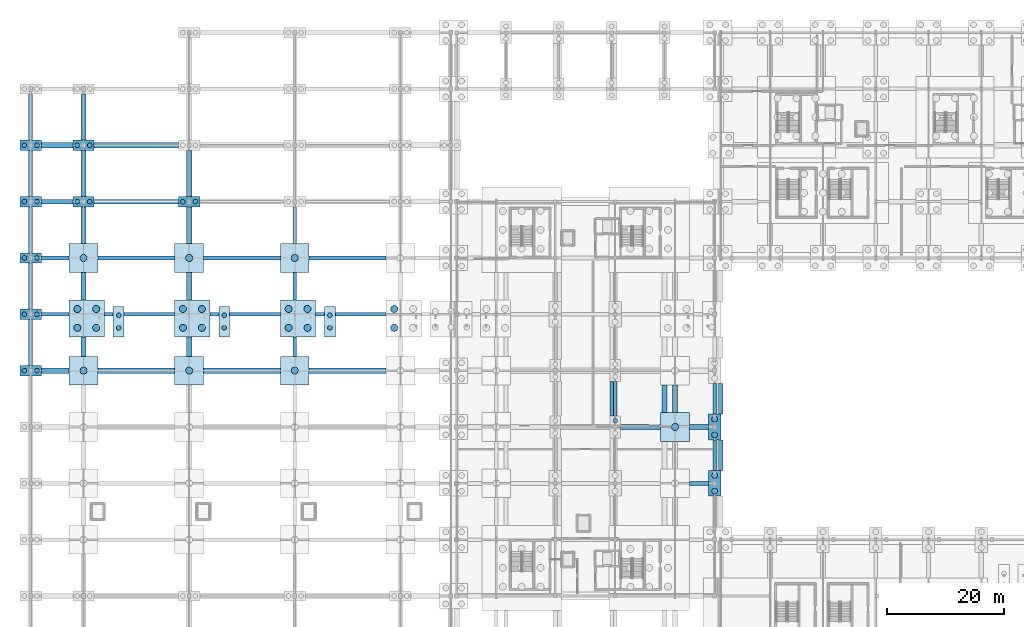
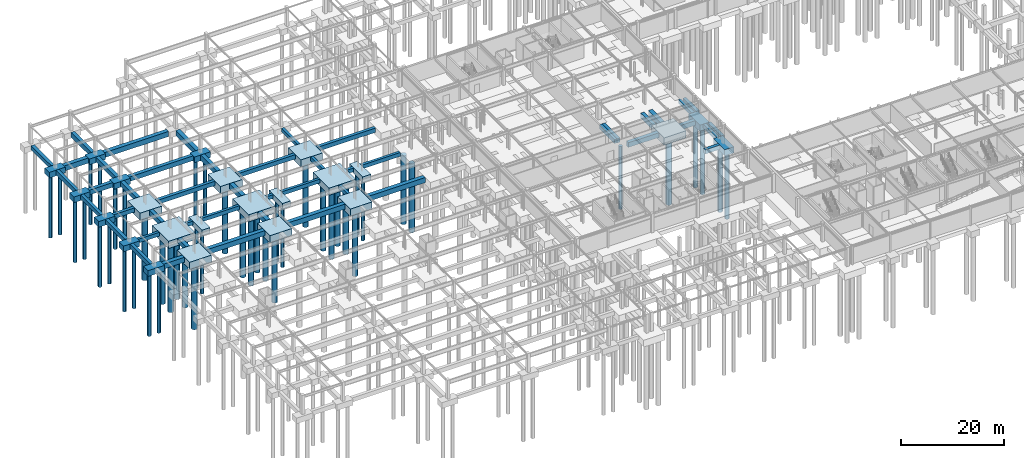
# One storey, part 4 of 59: 70 footings, 48 piles.
"""IFC4 building model written with IfcOpenShell, lengths in metres."""

import ifcopenshell
import ifcopenshell.guid

model = None  # the IFC model being written
_history = None  # IfcOwnerHistory: only IFC2X3 demands one
_inside = {}  # id of a spatial element -> (the spatial element, [elements in it])
_under = {}  # id of a project, library or spatial element -> (it, [spatial elements below it])
_declared = {}  # id of a project -> (the project, [libraries it declares])
_typed = {}  # id of a type object -> (the type object, [elements of that type])
_made_of = {}  # id of a material, layer set ... -> (it, [elements and type objects made of it])


def new_model(schema):
    """Start an empty IFC model of exactly this schema.

    Asked for "IFC4X3", IfcOpenShell would pick the latest addendum, in which some entities
    have other attributes; the version numbers below select the first issue.
    IFC2X3 requires an IfcOwnerHistory on every rooted entity: one is made here for all.
    """
    global model, _history
    if schema == "IFC4X3":
        model = ifcopenshell.file(schema_version=(4, 3, 0, 0))
    else:
        model = ifcopenshell.file(schema=schema)
    _inside.clear()
    _under.clear()
    _declared.clear()
    _typed.clear()
    _made_of.clear()
    _history = None
    if model.schema == "IFC2X3":
        org = make("IfcOrganization", Name="unknown")
        user = make(
            "IfcPersonAndOrganization",
            ThePerson=make("IfcPerson", FamilyName="unknown"),
            TheOrganization=org,
        )
        app = make(
            "IfcApplication",
            ApplicationDeveloper=org,
            Version="unknown",
            ApplicationFullName="unknown",
            ApplicationIdentifier="unknown",
        )
        _history = make(
            "IfcOwnerHistory",
            OwningUser=user,
            OwningApplication=app,
            ChangeAction="ADDED",
            CreationDate=0,
        )
    return model


def make(cls, **values):
    """One entity of the class cls with the attributes given. An attribute that is None is left unset."""
    return model.create_entity(
        cls, **{name: value for name, value in values.items() if value is not None}
    )


def rooted(cls, **values):
    """An entity with a GlobalId (a new one), such as an element, a storey or a relation."""
    return make(cls, GlobalId=ifcopenshell.guid.new(), OwnerHistory=_history, **values)


def si_unit(unit_type, name, prefix=None):
    """IfcSIUnit, for example si_unit("LENGTHUNIT", "METRE", prefix="MILLI")."""
    return make("IfcSIUnit", UnitType=unit_type, Prefix=prefix, Name=name)


def assignment(units):
    """IfcUnitAssignment: the units of a project."""
    return None if units is None else make("IfcUnitAssignment", Units=units)


def point(xyz):
    """IfcCartesianPoint."""
    return None if xyz is None else make("IfcCartesianPoint", Coordinates=xyz)


def direction(xyz):
    """IfcDirection."""
    return None if xyz is None else make("IfcDirection", DirectionRatios=xyz)


def frame(location, z_axis=None, x_axis=None):
    """IfcAxis2Placement3D, a coordinate frame: its origin and axes. An axis left out is left unset."""
    return make(
        "IfcAxis2Placement3D",
        Location=point(location),
        Axis=direction(z_axis),
        RefDirection=direction(x_axis),
    )


def frame_2d(location, x_axis=None):
    """IfcAxis2Placement2D, a coordinate frame in the plane: its origin and x axis."""
    return make(
        "IfcAxis2Placement2D", Location=point(location), RefDirection=direction(x_axis)
    )


def origin():
    """The frame at (0, 0, 0) with its axes left unset."""
    return frame((0.0, 0.0, 0.0))


def origin_2d():
    """The frame at (0, 0) in the plane with its x axis left unset."""
    return frame_2d((0.0, 0.0))


def place(relative_to, where):
    """IfcLocalPlacement: puts the frame where relative to a parent placement (None: the world)."""
    return make(
        "IfcLocalPlacement", PlacementRelTo=relative_to, RelativePlacement=where
    )


def context(
    kind, dimensions, precision=None, world=None, true_north=None, identifier=None
):
    """IfcGeometricRepresentationContext, for example the 3D "Model" context."""
    return make(
        "IfcGeometricRepresentationContext",
        ContextIdentifier=identifier,
        ContextType=kind,
        CoordinateSpaceDimension=dimensions,
        Precision=precision,
        WorldCoordinateSystem=world,
        TrueNorth=true_north,
    )


def subcontext(parent, identifier, kind, view, scale=None):
    """IfcGeometricRepresentationSubContext, for example "Body" below "Model"."""
    return make(
        "IfcGeometricRepresentationSubContext",
        ContextIdentifier=identifier,
        ContextType=kind,
        ParentContext=parent,
        TargetScale=scale,
        TargetView=view,
    )


def project(units=None, contexts=None):
    """IfcProject with its units and contexts."""
    return rooted(
        "IfcProject",
        Name="project",
        RepresentationContexts=contexts,
        UnitsInContext=assignment(units),
    )


def spatial(cls, under=None, at=None, **own):
    """A site, building, storey or space (cls), placed at a placement, below another one or the project."""
    s = rooted(cls, ObjectPlacement=at, **own)
    if under is not None:
        _under.setdefault(under.id(), (under, []))[1].append(s)
    return s


def profile(cls, at=None, kind="AREA", **sizes):
    """A parametric profile (cls). Its sizes go by their IFC names, for example OverallWidth=200.0."""
    return make(cls, ProfileType=kind, Position=at, **sizes)


def rectangle(**sizes):
    """IfcRectangleProfileDef."""
    return profile("IfcRectangleProfileDef", **sizes)


def circle(**sizes):
    """IfcCircleProfileDef."""
    return profile("IfcCircleProfileDef", **sizes)


def extrude(swept, where, along, depth):
    """IfcExtrudedAreaSolid: the profile swept, set in the frame where, extruded along a direction by depth."""
    return make(
        "IfcExtrudedAreaSolid",
        SweptArea=swept,
        Position=where,
        ExtrudedDirection=direction(along),
        Depth=depth,
    )


def shape(context_of_items, identifier, shape_type, items):
    """IfcShapeRepresentation: the items that make up one representation, for example the "Body"."""
    return make(
        "IfcShapeRepresentation",
        ContextOfItems=context_of_items,
        RepresentationIdentifier=identifier,
        RepresentationType=shape_type,
        Items=items,
    )


def material(Name=None, Category=None):
    """IfcMaterial."""
    return make("IfcMaterial", Name=Name, Category=Category)


def material_profile(
    of_material, cross_section, Name=None, Category=None, Priority=None
):
    """IfcMaterialProfile: a cross section and its material."""
    return make(
        "IfcMaterialProfile",
        Name=Name,
        Material=of_material,
        Profile=cross_section,
        Priority=Priority,
        Category=Category,
    )


def profile_set(profiles, Name=None, composite=None):
    """IfcMaterialProfileSet."""
    return make(
        "IfcMaterialProfileSet",
        Name=Name,
        MaterialProfiles=profiles,
        CompositeProfile=composite,
    )


def made_of(thing, what):
    """Note that an element or type object is made of a material, layer set ...; save() writes the relation."""
    if what is not None:
        _made_of.setdefault(what.id(), (what, []))[1].append(thing)
    return thing


def type_object(cls, material=None, **own):
    """A type object (cls), such as IfcWallType, which elements share."""
    return made_of(rooted(cls, **own), material)


def element(
    cls,
    number,
    at=None,
    inside=None,
    cuts=None,
    type_object=None,
    material=None,
    context=None,
    identifier="Body",
    shape_type=None,
    held_by="IfcProductDefinitionShape",
    body=None,
    shapes=None,
    **own,
):
    """One element of the class cls, such as IfcWall. Its Tag is "e" and its number.

    at: its placement. inside: the storey or other place that contains it. cuts: it is an
    opening in that element (IfcRelVoidsElement). A single representation is given by context,
    identifier, shape_type and body (its items); several are given by shapes. held_by: the class
    of the entity that holds the representations. save() writes the other relations.
    """
    e = rooted(cls, Tag="e%d" % number, ObjectPlacement=at, **own)
    if body is not None:
        shapes = [shape(context, identifier, shape_type, body)]
    if shapes is not None:
        e.Representation = make(held_by, Representations=shapes)
    if inside is not None:
        _inside.setdefault(inside.id(), (inside, []))[1].append(e)
    if cuts is not None:
        rooted(
            "IfcRelVoidsElement", RelatingBuildingElement=cuts, RelatedOpeningElement=e
        )
    if type_object is not None:
        _typed.setdefault(type_object.id(), (type_object, []))[1].append(e)
    return made_of(e, material)


def aggregate(whole, parts):
    """IfcRelAggregates: a whole, such as a stair, and the parts it consists of."""
    return rooted("IfcRelAggregates", RelatingObject=whole, RelatedObjects=parts)


def save(model, path):
    """Write the relations noted so far, then the file.

    IfcRelAggregates (storeys below a building ...), IfcRelContainedInSpatialStructure (elements
    in a storey), IfcRelDefinesByType, IfcRelAssociatesMaterial and IfcRelDeclares: one each for
    every whole, place, type object, material and project.
    """
    for whole, parts in _under.values():
        aggregate(whole, parts)
    for where, things in _inside.values():
        rooted(
            "IfcRelContainedInSpatialStructure",
            RelatedElements=things,
            RelatingStructure=where,
        )
    for kind, things in _typed.values():
        rooted("IfcRelDefinesByType", RelatedObjects=things, RelatingType=kind)
    for what, things in _made_of.values():
        rooted("IfcRelAssociatesMaterial", RelatedObjects=things, RelatingMaterial=what)
    for by, libraries in _declared.values():
        rooted("IfcRelDeclares", RelatingContext=by, RelatedDefinitions=libraries)
    model.write(path)


model = new_model("IFC4")

# Units and contexts
model_context = context("Model", 3, precision=1e-05, world=origin(), true_north=direction((0.0, 1.0)))
body_context = subcontext(model_context, "Body", "Model", "MODEL_VIEW")
ifc_project = project(units=[si_unit("LENGTHUNIT", "METRE"), si_unit("AREAUNIT", "SQUARE_METRE"), si_unit("VOLUMEUNIT", "CUBIC_METRE"), si_unit("PLANEANGLEUNIT", "RADIAN"), si_unit("MASSUNIT", "GRAM", prefix="KILO")], contexts=[model_context])

# Site, building, storey
site_placement = place(None, origin())
site = spatial("IfcSite", under=ifc_project, at=site_placement, CompositionType="ELEMENT")
building_placement = place(site_placement, origin())
building = spatial("IfcBuilding", under=site, at=building_placement, Name="Myrtia Square Station", CompositionType="ELEMENT")
storey_placement = place(building_placement, frame((0.0, 0.0, -4.5)))
storey = spatial("IfcBuildingStorey", under=building, at=storey_placement, Name="B01", CompositionType="ELEMENT", Elevation=-4.5)

# Footings
ifc_material = material(Name="Concrete C35/45", Category="concrete")
ifc_material_profile_1 = material_profile(ifc_material, rectangle(XDim=0.60009765625, YDim=0.89990234375, at=origin_2d()), Name="FB 600x900")
ifc_profile_set_1 = profile_set([ifc_material_profile_1], Name="Concrete C35/45")
footing_type_1 = type_object("IfcFootingType", Name="FBM-600x900", PredefinedType="FOOTING_BEAM", material=ifc_profile_set_1)
footing_1_placement = place(storey_placement, frame((1.820068359375, 76.800048828125, -0.449951171875), z_axis=(1.0, 0.0, 0.0), x_axis=(0.0, 1.0, 0.0)))
element("IfcFooting", 1, at=footing_1_placement, inside=storey, type_object=footing_type_1, Name="Seismic foundation tie beam X-0085", PredefinedType="FOOTING_BEAM", context=body_context, shape_type="SweptSolid", body=[
    extrude(rectangle(XDim=0.60009765625, YDim=0.89990234375, at=origin_2d()), origin(), (0.0, 0.0, 1.0), 4.72998046875),
])
footing_2_placement = place(storey_placement, frame((12.570068359375, 76.800048828125, -0.449951171875), z_axis=(1.0, 0.0, 0.0), x_axis=(0.0, 1.0, 0.0)))
element("IfcFooting", 2, at=footing_2_placement, inside=storey, type_object=footing_type_1, Name="Seismic foundation tie beam X-0086", PredefinedType="FOOTING_BEAM", context=body_context, shape_type="SweptSolid", body=[
    extrude(rectangle(XDim=0.60009765625, YDim=0.89990234375, at=origin_2d()), origin(), (0.0, 0.0, 1.0), 1.5),
])
footing_3_placement = place(storey_placement, frame((15.909912109375, 76.800048828125, -0.449951171875), z_axis=(1.0, 0.0, 0.0), x_axis=(0.0, 1.0, 0.0)))
element("IfcFooting", 3, at=footing_3_placement, inside=storey, type_object=footing_type_1, Name="Seismic foundation tie beam X-0087", PredefinedType="FOOTING_BEAM", context=body_context, shape_type="SweptSolid", body=[
    extrude(rectangle(XDim=0.60009765625, YDim=0.89990234375, at=origin_2d()), origin(), (0.0, 0.0, 1.0), 8.64013671875),
])
footing_4_placement = place(storey_placement, frame((30.570068359375, 76.800048828125, -0.449951171875), z_axis=(1.0, 0.0, 0.0), x_axis=(0.0, 1.0, 0.0)))
element("IfcFooting", 4, at=footing_4_placement, inside=storey, type_object=footing_type_1, Name="Seismic foundation tie beam X-0088", PredefinedType="FOOTING_BEAM", context=body_context, shape_type="SweptSolid", body=[
    extrude(rectangle(XDim=0.60009765625, YDim=0.89990234375, at=origin_2d()), origin(), (0.0, 0.0, 1.0), 1.5),
])
footing_5_placement = place(storey_placement, frame((33.909912109375, 76.800048828125, -0.449951171875), z_axis=(1.0, 0.0, 0.0), x_axis=(0.0, 1.0, 0.0)))
element("IfcFooting", 5, at=footing_5_placement, inside=storey, type_object=footing_type_1, Name="Seismic foundation tie beam X-0089", PredefinedType="FOOTING_BEAM", context=body_context, shape_type="SweptSolid", body=[
    extrude(rectangle(XDim=0.60009765625, YDim=0.89990234375, at=origin_2d()), origin(), (0.0, 0.0, 1.0), 8.64013671875),
])
footing_6_placement = place(storey_placement, frame((48.570068359375, 76.800048828125, -0.449951171875), z_axis=(1.0, 0.0, 0.0), x_axis=(0.0, 1.0, 0.0)))
element("IfcFooting", 6, at=footing_6_placement, inside=storey, type_object=footing_type_1, Name="Seismic foundation tie beam X-0090", PredefinedType="FOOTING_BEAM", context=body_context, shape_type="SweptSolid", body=[
    extrude(rectangle(XDim=0.60009765625, YDim=0.89990234375, at=origin_2d()), origin(), (0.0, 0.0, 1.0), 1.5),
])
footing_7_placement = place(storey_placement, frame((51.909912109375, 76.800048828125, -0.449951171875), z_axis=(1.0, 0.0, 0.0), x_axis=(0.0, 1.0, 0.0)))
element("IfcFooting", 7, at=footing_7_placement, inside=storey, type_object=footing_type_1, Name="Seismic foundation tie beam X-0091", PredefinedType="FOOTING_BEAM", context=body_context, shape_type="SweptSolid", body=[
    extrude(rectangle(XDim=0.60009765625, YDim=0.89990234375, at=origin_2d()), origin(), (0.0, 0.0, 1.0), 8.64013671875),
])
footing_8_placement = place(storey_placement, frame((45.0, 69.64990234375, -0.449951171875), z_axis=(0.0, 1.0, 0.0), x_axis=(-1.0, 0.0, 0.0)))
element("IfcFooting", 8, at=footing_8_placement, inside=storey, type_object=footing_type_1, Name="Seismic foundation tie beam Y-0196", PredefinedType="FOOTING_BEAM", context=body_context, shape_type="SweptSolid", body=[
    extrude(rectangle(XDim=0.60009765625, YDim=0.89990234375, at=origin_2d()), origin(), (0.0, 0.0, 1.0), 3.31005859375),
])
footing_9_placement = place(storey_placement, frame((45.0, 79.25, -0.449951171875), z_axis=(0.0, 1.0, 0.0), x_axis=(-1.0, 0.0, 0.0)))
element("IfcFooting", 9, at=footing_9_placement, inside=storey, type_object=footing_type_1, Name="Seismic foundation tie beam Y-0197", PredefinedType="FOOTING_BEAM", context=body_context, shape_type="SweptSolid", body=[
    extrude(rectangle(XDim=0.60009765625, YDim=0.89990234375, at=origin_2d()), origin(), (0.0, 0.0, 1.0), 4.699951171875),
])
footing_10_placement = place(storey_placement, frame((45.0, 88.85009765625, -0.449951171875), z_axis=(0.0, 1.0, 0.0), x_axis=(-1.0, 0.0, 0.0)))
element("IfcFooting", 10, at=footing_10_placement, inside=storey, type_object=footing_type_1, Name="Seismic foundation tie beam Y-0198", PredefinedType="FOOTING_BEAM", context=body_context, shape_type="SweptSolid", body=[
    extrude(rectangle(XDim=0.60009765625, YDim=0.89990234375, at=origin_2d()), origin(), (0.0, 0.0, 1.0), 6.27001953125),
])
footing_11_placement = place(storey_placement, frame((99.0, 59.4599609375, -0.449951171875), z_axis=(0.0, 1.0, 0.0), x_axis=(-1.0, 0.0, 0.0)))
element("IfcFooting", 11, at=footing_11_placement, inside=storey, type_object=footing_type_1, Name="Seismic foundation tie beam Y-0267", PredefinedType="FOOTING_BEAM", context=body_context, shape_type="SweptSolid", body=[
    extrude(rectangle(XDim=0.60009765625, YDim=0.89990234375, at=origin_2d()), origin(), (0.0, 0.0, 1.0), 5.880126953125),
])
for number, where, z_axis, x_axis, name in (
    (12, (116.550048828125, 50.179931640625, -0.449951171875), (0.0, 1.0, 0.0), (-1.0, 0.0, 0.0), "Seismic foundation tie beam Y-0298"),
    (13, (116.550048828125, 59.780029296875, -0.449951171875), (0.0, 1.0, 0.0), (-1.0, 0.0, 0.0), "Seismic foundation tie beam Y-0299"),
):
    element("IfcFooting", number, at=place(storey_placement, frame(where, z_axis=z_axis, x_axis=x_axis)), inside=storey, type_object=footing_type_1, Name=name, PredefinedType="FOOTING_BEAM", context=body_context, shape_type="SweptSolid", body=[
        extrude(rectangle(XDim=0.60009765625, YDim=0.89990234375, at=origin_2d()), origin(), (0.0, 0.0, 1.0), 5.239990234375),
    ])
ifc_material_profile_2 = material_profile(ifc_material, rectangle(XDim=0.699951171875, YDim=1.0, at=origin_2d()), Name="FB 700x1000")
ifc_profile_set_2 = profile_set([ifc_material_profile_2], Name="Concrete C35/45")
footing_type_2 = type_object("IfcFootingType", Name="FBM-700x1000", PredefinedType="FOOTING_BEAM", material=ifc_profile_set_2)
footing_12_placement = place(storey_placement, frame((112.25, 48.0, -0.5), z_axis=(1.0, 0.0, 0.0), x_axis=(0.0, 1.0, 0.0)))
element("IfcFooting", 14, at=footing_12_placement, inside=storey, type_object=footing_type_2, Name="Seismic foundation tie beam X-0061", PredefinedType="FOOTING_BEAM", context=body_context, shape_type="SweptSolid", body=[
    extrude(rectangle(XDim=0.699951171875, YDim=1.0, at=origin_2d()), origin(), (0.0, 0.0, 1.0), 3.25),
])
footing_13_placement = place(storey_placement, frame((1.820068359375, 86.39990234375, -0.5), z_axis=(1.0, 0.0, 0.0), x_axis=(0.0, 1.0, 0.0)))
element("IfcFooting", 15, at=footing_13_placement, inside=storey, type_object=footing_type_2, Name="Seismic foundation tie beam X-0099", PredefinedType="FOOTING_BEAM", context=body_context, shape_type="SweptSolid", body=[
    extrude(rectangle(XDim=0.699951171875, YDim=1.0, at=origin_2d()), origin(), (0.0, 0.0, 1.0), 4.72998046875),
])
for number, where, z_axis, x_axis, name in (
    (16, (11.449951171875, 86.39990234375, -0.5), (1.0, 0.0, 0.0), (0.0, 1.0, 0.0), "Seismic foundation tie beam X-0100"),
    (17, (29.449951171875, 86.39990234375, -0.5), (1.0, 0.0, 0.0), (0.0, 1.0, 0.0), "Seismic foundation tie beam X-0101"),
    (18, (47.449951171875, 86.39990234375, -0.5), (1.0, 0.0, 0.0), (0.0, 1.0, 0.0), "Seismic foundation tie beam X-0102"),
):
    element("IfcFooting", number, at=place(storey_placement, frame(where, z_axis=z_axis, x_axis=x_axis)), inside=storey, type_object=footing_type_2, Name=name, PredefinedType="FOOTING_BEAM", context=body_context, shape_type="SweptSolid", body=[
        extrude(rectangle(XDim=0.699951171875, YDim=1.0, at=origin_2d()), origin(), (0.0, 0.0, 1.0), 13.10009765625),
    ])
footing_14_placement = place(storey_placement, frame((0.0, 68.080078125, -0.5), z_axis=(0.0, 1.0, 0.0), x_axis=(-1.0, 0.0, 0.0)))
element("IfcFooting", 19, at=footing_14_placement, inside=storey, type_object=footing_type_2, Name="Seismic foundation tie beam Y-0160", PredefinedType="FOOTING_BEAM", context=body_context, shape_type="SweptSolid", body=[
    extrude(rectangle(XDim=0.699951171875, YDim=1.0, at=origin_2d()), origin(), (0.0, 0.0, 1.0), 7.83984375),
])
for number, where, z_axis, x_axis, name in (
    (20, (0.0, 77.679931640625, -0.5), (0.0, 1.0, 0.0), (-1.0, 0.0, 0.0), "Seismic foundation tie beam Y-0161"),
    (21, (0.0, 87.280029296875, -0.5), (0.0, 1.0, 0.0), (-1.0, 0.0, 0.0), "Seismic foundation tie beam Y-0162"),
    (22, (0.0, 96.8798828125, -0.5), (0.0, 1.0, 0.0), (-1.0, 0.0, 0.0), "Seismic foundation tie beam Y-0163"),
    (23, (0.0, 106.47998046875, -0.5), (0.0, 1.0, 0.0), (-1.0, 0.0, 0.0), "Seismic foundation tie beam Y-0164"),
):
    element("IfcFooting", number, at=place(storey_placement, frame(where, z_axis=z_axis, x_axis=x_axis)), inside=storey, type_object=footing_type_2, Name=name, PredefinedType="FOOTING_BEAM", context=body_context, shape_type="SweptSolid", body=[
        extrude(rectangle(XDim=0.699951171875, YDim=1.0, at=origin_2d()), origin(), (0.0, 0.0, 1.0), 7.840087890625),
    ])
footing_15_placement = place(storey_placement, frame((99.60009765625, 59.4599609375, -0.5), z_axis=(0.0, 1.0, 0.0), x_axis=(-1.0, 0.0, 0.0)))
element("IfcFooting", 24, at=footing_15_placement, inside=storey, type_object=footing_type_2, Name="Seismic foundation tie beam Y-0276", PredefinedType="FOOTING_BEAM", context=body_context, shape_type="SweptSolid", body=[
    extrude(rectangle(XDim=0.699951171875, YDim=1.0, at=origin_2d()), origin(), (0.0, 0.0, 1.0), 5.880126953125),
])
for number, where, z_axis, x_axis, name in (
    (25, (117.60009765625, 50.179931640625, -0.5), (0.0, 1.0, 0.0), (-1.0, 0.0, 0.0), "Seismic foundation tie beam Y-0303"),
    (26, (117.60009765625, 59.780029296875, -0.5), (0.0, 1.0, 0.0), (-1.0, 0.0, 0.0), "Seismic foundation tie beam Y-0304"),
):
    element("IfcFooting", number, at=place(storey_placement, frame(where, z_axis=z_axis, x_axis=x_axis)), inside=storey, type_object=footing_type_2, Name=name, PredefinedType="FOOTING_BEAM", context=body_context, shape_type="SweptSolid", body=[
        extrude(rectangle(XDim=0.699951171875, YDim=1.0, at=origin_2d()), origin(), (0.0, 0.0, 1.0), 5.239990234375),
    ])
ifc_material_profile_3 = material_profile(ifc_material, rectangle(XDim=0.800048828125, YDim=1.10009765625, at=origin_2d()), Name="FB 800x1100")
ifc_profile_set_3 = profile_set([ifc_material_profile_3], Name="Concrete C35/45")
footing_type_3 = type_object("IfcFootingType", Name="FBM-800x1100", PredefinedType="FOOTING_BEAM", material=ifc_profile_set_3)
footing_16_placement = place(storey_placement, frame((100.52001953125, 57.60009765625, -0.550048828125), z_axis=(1.0, 0.0, 0.0), x_axis=(0.0, 1.0, 0.0)))
element("IfcFooting", 27, at=footing_16_placement, inside=storey, type_object=footing_type_3, Name="Seismic foundation tie beam X-0071", PredefinedType="FOOTING_BEAM", context=body_context, shape_type="SweptSolid", body=[
    extrude(rectangle(XDim=0.800048828125, YDim=1.10009765625, at=origin_2d()), origin(), (0.0, 0.0, 1.0), 6.830078125),
])
footing_17_placement = place(storey_placement, frame((112.25, 57.60009765625, -0.550048828125), z_axis=(1.0, 0.0, 0.0), x_axis=(0.0, 1.0, 0.0)))
element("IfcFooting", 28, at=footing_17_placement, inside=storey, type_object=footing_type_3, Name="Seismic foundation tie beam X-0072", PredefinedType="FOOTING_BEAM", context=body_context, shape_type="SweptSolid", body=[
    extrude(rectangle(XDim=0.800048828125, YDim=1.10009765625, at=origin_2d()), origin(), (0.0, 0.0, 1.0), 3.25),
])
footing_18_placement = place(storey_placement, frame((1.820068359375, 96.0, -0.550048828125), z_axis=(1.0, 0.0, 0.0), x_axis=(0.0, 1.0, 0.0)))
element("IfcFooting", 29, at=footing_18_placement, inside=storey, type_object=footing_type_3, Name="Seismic foundation tie beam X-0108", PredefinedType="FOOTING_BEAM", context=body_context, shape_type="SweptSolid", body=[
    extrude(rectangle(XDim=0.800048828125, YDim=1.10009765625, at=origin_2d()), origin(), (0.0, 0.0, 1.0), 5.35986328125),
])
footing_19_placement = place(storey_placement, frame((10.820068359375, 96.0, -0.550048828125), z_axis=(1.0, 0.0, 0.0), x_axis=(0.0, 1.0, 0.0)))
element("IfcFooting", 30, at=footing_19_placement, inside=storey, type_object=footing_type_3, Name="Seismic foundation tie beam X-0109", PredefinedType="FOOTING_BEAM", context=body_context, shape_type="SweptSolid", body=[
    extrude(rectangle(XDim=0.800048828125, YDim=1.10009765625, at=origin_2d()), origin(), (0.0, 0.0, 1.0), 14.35986328125),
])
footing_20_placement = place(storey_placement, frame((9.0, 69.64990234375, -0.550048828125), z_axis=(0.0, 1.0, 0.0), x_axis=(-1.0, 0.0, 0.0)))
element("IfcFooting", 31, at=footing_20_placement, inside=storey, type_object=footing_type_3, Name="Seismic foundation tie beam Y-0171", PredefinedType="FOOTING_BEAM", context=body_context, shape_type="SweptSolid", body=[
    extrude(rectangle(XDim=0.800048828125, YDim=1.10009765625, at=origin_2d()), origin(), (0.0, 0.0, 1.0), 3.31005859375),
])
footing_21_placement = place(storey_placement, frame((9.0, 79.25, -0.550048828125), z_axis=(0.0, 1.0, 0.0), x_axis=(-1.0, 0.0, 0.0)))
element("IfcFooting", 32, at=footing_21_placement, inside=storey, type_object=footing_type_3, Name="Seismic foundation tie beam Y-0172", PredefinedType="FOOTING_BEAM", context=body_context, shape_type="SweptSolid", body=[
    extrude(rectangle(XDim=0.800048828125, YDim=1.10009765625, at=origin_2d()), origin(), (0.0, 0.0, 1.0), 4.699951171875),
])
footing_22_placement = place(storey_placement, frame((9.0, 88.85009765625, -0.550048828125), z_axis=(0.0, 1.0, 0.0), x_axis=(-1.0, 0.0, 0.0)))
element("IfcFooting", 33, at=footing_22_placement, inside=storey, type_object=footing_type_3, Name="Seismic foundation tie beam Y-0173", PredefinedType="FOOTING_BEAM", context=body_context, shape_type="SweptSolid", body=[
    extrude(rectangle(XDim=0.800048828125, YDim=1.10009765625, at=origin_2d()), origin(), (0.0, 0.0, 1.0), 6.27001953125),
])
for number, where, z_axis, x_axis, name in (
    (34, (9.0, 96.8798828125, -0.550048828125), (0.0, 1.0, 0.0), (-1.0, 0.0, 0.0), "Seismic foundation tie beam Y-0174"),
    (35, (9.0, 106.47998046875, -0.550048828125), (0.0, 1.0, 0.0), (-1.0, 0.0, 0.0), "Seismic foundation tie beam Y-0175"),
):
    element("IfcFooting", number, at=place(storey_placement, frame(where, z_axis=z_axis, x_axis=x_axis)), inside=storey, type_object=footing_type_3, Name=name, PredefinedType="FOOTING_BEAM", context=body_context, shape_type="SweptSolid", body=[
        extrude(rectangle(XDim=0.800048828125, YDim=1.10009765625, at=origin_2d()), origin(), (0.0, 0.0, 1.0), 7.840087890625),
    ])
footing_23_placement = place(storey_placement, frame((108.0, 60.050048828125, -0.550048828125), z_axis=(0.0, 1.0, 0.0), x_axis=(-1.0, 0.0, 0.0)))
element("IfcFooting", 36, at=footing_23_placement, inside=storey, type_object=footing_type_3, Name="Seismic foundation tie beam Y-0285", PredefinedType="FOOTING_BEAM", context=body_context, shape_type="SweptSolid", body=[
    extrude(rectangle(XDim=0.800048828125, YDim=1.10009765625, at=origin_2d()), origin(), (0.0, 0.0, 1.0), 4.699951171875),
])
ifc_material_profile_4 = material_profile(ifc_material, rectangle(XDim=0.89990234375, YDim=1.199951171875, at=origin_2d()), Name="FB 900x1200")
ifc_profile_set_4 = profile_set([ifc_material_profile_4], Name="Concrete C35/45")
footing_type_4 = type_object("IfcFootingType", Name="FBM-900x1200", PredefinedType="FOOTING_BEAM", material=ifc_profile_set_4)
footing_24_placement = place(storey_placement, frame((1.820068359375, 67.199951171875, -0.60009765625), z_axis=(1.0, 0.0, 0.0), x_axis=(0.0, 1.0, 0.0)))
element("IfcFooting", 37, at=footing_24_placement, inside=storey, type_object=footing_type_4, Name="Seismic foundation tie beam X-0074", PredefinedType="FOOTING_BEAM", context=body_context, shape_type="SweptSolid", body=[
    extrude(rectangle(XDim=0.89990234375, YDim=1.199951171875, at=origin_2d()), origin(), (0.0, 0.0, 1.0), 4.72998046875),
])
for number, where, z_axis, x_axis, name in (
    (38, (11.449951171875, 67.199951171875, -0.60009765625), (1.0, 0.0, 0.0), (0.0, 1.0, 0.0), "Seismic foundation tie beam X-0075"),
    (39, (29.449951171875, 67.199951171875, -0.60009765625), (1.0, 0.0, 0.0), (0.0, 1.0, 0.0), "Seismic foundation tie beam X-0076"),
    (40, (47.449951171875, 67.199951171875, -0.60009765625), (1.0, 0.0, 0.0), (0.0, 1.0, 0.0), "Seismic foundation tie beam X-0077"),
):
    element("IfcFooting", number, at=place(storey_placement, frame(where, z_axis=z_axis, x_axis=x_axis)), inside=storey, type_object=footing_type_4, Name=name, PredefinedType="FOOTING_BEAM", context=body_context, shape_type="SweptSolid", body=[
        extrude(rectangle(XDim=0.89990234375, YDim=1.199951171875, at=origin_2d()), origin(), (0.0, 0.0, 1.0), 13.10009765625),
    ])
footing_25_placement = place(storey_placement, frame((1.820068359375, 105.60009765625, -0.60009765625), z_axis=(1.0, 0.0, 0.0), x_axis=(0.0, 1.0, 0.0)))
element("IfcFooting", 41, at=footing_25_placement, inside=storey, type_object=footing_type_4, Name="Seismic foundation tie beam X-0120", PredefinedType="FOOTING_BEAM", context=body_context, shape_type="SweptSolid", body=[
    extrude(rectangle(XDim=0.89990234375, YDim=1.199951171875, at=origin_2d()), origin(), (0.0, 0.0, 1.0), 5.35986328125),
])
footing_26_placement = place(storey_placement, frame((10.820068359375, 105.60009765625, -0.60009765625), z_axis=(1.0, 0.0, 0.0), x_axis=(0.0, 1.0, 0.0)))
element("IfcFooting", 42, at=footing_26_placement, inside=storey, type_object=footing_type_4, Name="Seismic foundation tie beam X-0121", PredefinedType="FOOTING_BEAM", context=body_context, shape_type="SweptSolid", body=[
    extrude(rectangle(XDim=0.89990234375, YDim=1.199951171875, at=origin_2d()), origin(), (0.0, 0.0, 1.0), 14.35986328125),
])
footing_27_placement = place(storey_placement, frame((27.0, 69.64990234375, -0.60009765625), z_axis=(0.0, 1.0, 0.0), x_axis=(-1.0, 0.0, 0.0)))
element("IfcFooting", 43, at=footing_27_placement, inside=storey, type_object=footing_type_4, Name="Seismic foundation tie beam Y-0183", PredefinedType="FOOTING_BEAM", context=body_context, shape_type="SweptSolid", body=[
    extrude(rectangle(XDim=0.89990234375, YDim=1.199951171875, at=origin_2d()), origin(), (0.0, 0.0, 1.0), 3.31005859375),
])
footing_28_placement = place(storey_placement, frame((27.0, 79.25, -0.60009765625), z_axis=(0.0, 1.0, 0.0), x_axis=(-1.0, 0.0, 0.0)))
element("IfcFooting", 44, at=footing_28_placement, inside=storey, type_object=footing_type_4, Name="Seismic foundation tie beam Y-0184", PredefinedType="FOOTING_BEAM", context=body_context, shape_type="SweptSolid", body=[
    extrude(rectangle(XDim=0.89990234375, YDim=1.199951171875, at=origin_2d()), origin(), (0.0, 0.0, 1.0), 4.699951171875),
])
footing_29_placement = place(storey_placement, frame((27.0, 88.85009765625, -0.60009765625), z_axis=(0.0, 1.0, 0.0), x_axis=(-1.0, 0.0, 0.0)))
element("IfcFooting", 45, at=footing_29_placement, inside=storey, type_object=footing_type_4, Name="Seismic foundation tie beam Y-0185", PredefinedType="FOOTING_BEAM", context=body_context, shape_type="SweptSolid", body=[
    extrude(rectangle(XDim=0.89990234375, YDim=1.199951171875, at=origin_2d()), origin(), (0.0, 0.0, 1.0), 6.27001953125),
])
footing_30_placement = place(storey_placement, frame((27.0, 96.8798828125, -0.60009765625), z_axis=(0.0, 1.0, 0.0), x_axis=(-1.0, 0.0, 0.0)))
element("IfcFooting", 46, at=footing_30_placement, inside=storey, type_object=footing_type_4, Name="Seismic foundation tie beam Y-0186", PredefinedType="FOOTING_BEAM", context=body_context, shape_type="SweptSolid", body=[
    extrude(rectangle(XDim=0.89990234375, YDim=1.199951171875, at=origin_2d()), origin(), (0.0, 0.0, 1.0), 7.840087890625),
])
footing_31_placement = place(storey_placement, frame((109.800048828125, 60.050048828125, -0.60009765625), z_axis=(0.0, 1.0, 0.0), x_axis=(-1.0, 0.0, 0.0)))
element("IfcFooting", 47, at=footing_31_placement, inside=storey, type_object=footing_type_4, Name="Seismic foundation tie beam Y-0294", PredefinedType="FOOTING_BEAM", context=body_context, shape_type="SweptSolid", body=[
    extrude(rectangle(XDim=0.89990234375, YDim=1.199951171875, at=origin_2d()), origin(), (0.0, 0.0, 1.0), 4.699951171875),
])
footing_type_5 = type_object("IfcFootingType", Name="FCAP-184x520x130", PredefinedType="PILE_CAP", material=ifc_material)
for number, where, z_axis, x_axis, name in (
    (48, (14.989990234375, 75.56005859375, -1.2998046875), (0.0, 0.0, 1.0), (1.0, 0.0, 0.0), "Reinforced concrete pile cap CAP-ISTR-03"),
    (49, (32.989990234375, 75.56005859375, -1.2998046875), (0.0, 0.0, 1.0), (1.0, 0.0, 0.0), "Reinforced concrete pile cap CAP-ISTR-07"),
    (50, (50.989990234375, 75.56005859375, -1.2998046875), (0.0, 0.0, 1.0), (1.0, 0.0, 0.0), "Reinforced concrete pile cap CAP-ISTR-11"),
):
    element("IfcFooting", number, at=place(storey_placement, frame(where, z_axis=z_axis, x_axis=x_axis)), inside=storey, type_object=footing_type_5, Name=name, PredefinedType="PILE_CAP", context=body_context, shape_type="SweptSolid", body=[
        extrude(rectangle(XDim=1.840087890625, YDim=5.199951171875, at=origin_2d()), origin(), (0.0, 0.0, 1.0), 1.300048828125),
    ])
footing_type_6 = type_object("IfcFootingType", Name="FCAP-210x436x145", PredefinedType="PILE_CAP", material=ifc_material)
for number, where, z_axis, x_axis, name in (
    (51, (116.550048828125, 48.0, -1.4501953125), (0.0, 0.0, 1.0), (1.0, 0.0, 0.0), "Reinforced concrete pile cap CAP-M2Y-089"),
    (52, (116.550048828125, 57.60009765625, -1.4501953125), (0.0, 0.0, 1.0), (1.0, 0.0, 0.0), "Reinforced concrete pile cap CAP-M2Y-093"),
):
    element("IfcFooting", number, at=place(storey_placement, frame(where, z_axis=z_axis, x_axis=x_axis)), inside=storey, type_object=footing_type_6, Name=name, PredefinedType="PILE_CAP", context=body_context, shape_type="SweptSolid", body=[
        extrude(rectangle(XDim=2.10009765625, YDim=4.360107421875, at=origin_2d()), origin(), (0.0, 0.0, 1.0), 1.449951171875),
    ])
footing_type_7 = type_object("IfcFootingType", Name="FCAP-364x176x135", PredefinedType="PILE_CAP", material=ifc_material)
for number, where, z_axis, x_axis, name in (
    (53, (0.0, 67.199951171875, -1.35009765625), (0.0, 0.0, 1.0), (1.0, 0.0, 0.0), "Reinforced concrete pile cap CAP-L2X-006"),
    (54, (0.0, 76.800048828125, -1.35009765625), (0.0, 0.0, 1.0), (1.0, 0.0, 0.0), "Reinforced concrete pile cap CAP-L2X-007"),
    (55, (0.0, 86.39990234375, -1.35009765625), (0.0, 0.0, 1.0), (1.0, 0.0, 0.0), "Reinforced concrete pile cap CAP-L2X-008"),
    (56, (0.0, 96.0, -1.35009765625), (0.0, 0.0, 1.0), (1.0, 0.0, 0.0), "Reinforced concrete pile cap CAP-L2X-009"),
    (57, (0.0, 105.60009765625, -1.35009765625), (0.0, 0.0, 1.0), (1.0, 0.0, 0.0), "Reinforced concrete pile cap CAP-L2X-010"),
    (58, (9.0, 96.0, -1.35009765625), (0.0, 0.0, 1.0), (1.0, 0.0, 0.0), "Reinforced concrete pile cap CAP-L2X-021"),
    (59, (9.0, 105.60009765625, -1.35009765625), (0.0, 0.0, 1.0), (1.0, 0.0, 0.0), "Reinforced concrete pile cap CAP-L2X-022"),
    (60, (27.0, 96.0, -1.35009765625), (0.0, 0.0, 1.0), (1.0, 0.0, 0.0), "Reinforced concrete pile cap CAP-L2X-034"),
):
    element("IfcFooting", number, at=place(storey_placement, frame(where, z_axis=z_axis, x_axis=x_axis)), inside=storey, type_object=footing_type_7, Name=name, PredefinedType="PILE_CAP", context=body_context, shape_type="SweptSolid", body=[
        extrude(rectangle(XDim=3.639892578125, YDim=1.760009765625, at=origin_2d()), origin(), (0.0, 0.0, 1.0), 1.35009765625),
    ])
footing_type_8 = type_object("IfcFootingType", Name="FCAP-490x490x170", PredefinedType="PILE_CAP", material=ifc_material)
for number, where, z_axis, x_axis, name in (
    (61, (9.0, 67.199951171875, -1.7001953125), (0.0, 0.0, 1.0), (1.0, 0.0, 0.0), "Reinforced concrete pile cap CAP-H4-018"),
    (62, (9.0, 86.39990234375, -1.7001953125), (0.0, 0.0, 1.0), (1.0, 0.0, 0.0), "Reinforced concrete pile cap CAP-H4-020"),
    (63, (27.0, 67.199951171875, -1.7001953125), (0.0, 0.0, 1.0), (1.0, 0.0, 0.0), "Reinforced concrete pile cap CAP-H4-031"),
    (64, (27.0, 86.39990234375, -1.7001953125), (0.0, 0.0, 1.0), (1.0, 0.0, 0.0), "Reinforced concrete pile cap CAP-H4-033"),
    (65, (45.0, 67.199951171875, -1.7001953125), (0.0, 0.0, 1.0), (1.0, 0.0, 0.0), "Reinforced concrete pile cap CAP-H4-045"),
    (66, (45.0, 86.39990234375, -1.7001953125), (0.0, 0.0, 1.0), (1.0, 0.0, 0.0), "Reinforced concrete pile cap CAP-H4-047"),
    (67, (109.800048828125, 57.60009765625, -1.7001953125), (0.0, 0.0, 1.0), (1.0, 0.0, 0.0), "Reinforced concrete pile cap CAP-H4-095"),
):
    element("IfcFooting", number, at=place(storey_placement, frame(where, z_axis=z_axis, x_axis=x_axis)), inside=storey, type_object=footing_type_8, Name=name, PredefinedType="PILE_CAP", context=body_context, shape_type="SweptSolid", body=[
        extrude(rectangle(XDim=4.89990234375, YDim=4.89990234375, at=origin_2d()), origin(), (0.0, 0.0, 1.0), 1.699951171875),
    ])
footing_type_9 = type_object("IfcFootingType", Name="FCAP-602x629x170", PredefinedType="PILE_CAP", material=ifc_material)
for number, where, z_axis, x_axis, name in (
    (68, (9.56005859375, 76.10498046875, -1.7001953125), (0.0, 0.0, 1.0), (1.0, 0.0, 0.0), "Reinforced concrete pile cap CAP-H4-019"),
    (69, (27.56005859375, 76.10498046875, -1.7001953125), (0.0, 0.0, 1.0), (1.0, 0.0, 0.0), "Reinforced concrete pile cap CAP-H4-032"),
    (70, (45.56005859375, 76.10498046875, -1.7001953125), (0.0, 0.0, 1.0), (1.0, 0.0, 0.0), "Reinforced concrete pile cap CAP-H4-046"),
):
    element("IfcFooting", number, at=place(storey_placement, frame(where, z_axis=z_axis, x_axis=x_axis)), inside=storey, type_object=footing_type_9, Name=name, PredefinedType="PILE_CAP", context=body_context, shape_type="SweptSolid", body=[
        extrude(rectangle(XDim=6.02001953125, YDim=6.2900390625, at=origin_2d()), origin(), (0.0, 0.0, 1.0), 1.699951171875),
    ])

# Piles
ifc_material_profile_5 = material_profile(ifc_material, circle(Radius=0.5, at=origin_2d()), Name="BP D1000")
ifc_profile_set_5 = profile_set([ifc_material_profile_5], Name="Concrete C35/45")
pile_type_1 = type_object("IfcPileType", Name="PIL-BP1000", PredefinedType="BORED", material=ifc_profile_set_5)
for number, where, z_axis, x_axis, name in (
    (71, (116.550048828125, 46.659912109375, -1.35009765625), (0.0, 0.0, -1.0), (1.0, 0.0, 0.0), "Bored pile 0271"),
    (72, (116.550048828125, 49.340087890625, -1.35009765625), (0.0, 0.0, -1.0), (1.0, 0.0, 0.0), "Bored pile 0272"),
    (73, (116.550048828125, 56.260009765625, -1.35009765625), (0.0, 0.0, -1.0), (1.0, 0.0, 0.0), "Bored pile 0275"),
    (74, (116.550048828125, 58.93994140625, -1.35009765625), (0.0, 0.0, -1.0), (1.0, 0.0, 0.0), "Bored pile 0276"),
):
    element("IfcPile", number, at=place(storey_placement, frame(where, z_axis=z_axis, x_axis=x_axis)), inside=storey, type_object=pile_type_1, Name=name, PredefinedType="BORED", context=body_context, shape_type="SweptSolid", body=[
        extrude(circle(Radius=0.5, at=origin_2d()), origin(), (0.0, 0.0, 1.0), 15.64990234375),
    ])
ifc_material_profile_6 = material_profile(ifc_material, circle(Radius=0.60009765625, at=origin_2d()), Name="BP D1200")
ifc_profile_set_6 = profile_set([ifc_material_profile_6], Name="Concrete C35/45")
pile_type_2 = type_object("IfcPileType", Name="PIL-BP1200", PredefinedType="BORED", material=ifc_profile_set_6)
for number, where, z_axis, x_axis, name in (
    (75, (9.0, 67.199951171875, -1.60009765625), (0.0, 0.0, -1.0), (1.0, 0.0, 0.0), "Bored pile 0124"),
    (76, (7.951904296875, 74.4970703125, -1.60009765625), (0.0, 0.0, -1.0), (1.0, 0.0, 0.0), "Bored pile 0125"),
    (77, (7.951904296875, 77.712890625, -1.60009765625), (0.0, 0.0, -1.0), (1.0, 0.0, 0.0), "Bored pile 0126"),
    (78, (11.16796875, 74.4970703125, -1.60009765625), (0.0, 0.0, -1.0), (1.0, 0.0, 0.0), "Bored pile 0127"),
    (79, (11.16796875, 77.712890625, -1.60009765625), (0.0, 0.0, -1.0), (1.0, 0.0, 0.0), "Bored pile 0128"),
    (80, (9.0, 86.39990234375, -1.60009765625), (0.0, 0.0, -1.0), (1.0, 0.0, 0.0), "Bored pile 0129"),
    (81, (27.0, 67.199951171875, -1.60009765625), (0.0, 0.0, -1.0), (1.0, 0.0, 0.0), "Bored pile 0147"),
    (82, (25.951904296875, 74.4970703125, -1.60009765625), (0.0, 0.0, -1.0), (1.0, 0.0, 0.0), "Bored pile 0148"),
    (83, (25.951904296875, 77.712890625, -1.60009765625), (0.0, 0.0, -1.0), (1.0, 0.0, 0.0), "Bored pile 0149"),
    (84, (29.16796875, 74.4970703125, -1.60009765625), (0.0, 0.0, -1.0), (1.0, 0.0, 0.0), "Bored pile 0150"),
    (85, (29.16796875, 77.712890625, -1.60009765625), (0.0, 0.0, -1.0), (1.0, 0.0, 0.0), "Bored pile 0151"),
    (86, (27.0, 86.39990234375, -1.60009765625), (0.0, 0.0, -1.0), (1.0, 0.0, 0.0), "Bored pile 0152"),
    (87, (45.0, 67.199951171875, -1.60009765625), (0.0, 0.0, -1.0), (1.0, 0.0, 0.0), "Bored pile 0172"),
    (88, (43.951904296875, 74.4970703125, -1.60009765625), (0.0, 0.0, -1.0), (1.0, 0.0, 0.0), "Bored pile 0173"),
    (89, (43.951904296875, 77.712890625, -1.60009765625), (0.0, 0.0, -1.0), (1.0, 0.0, 0.0), "Bored pile 0174"),
    (90, (47.16796875, 74.4970703125, -1.60009765625), (0.0, 0.0, -1.0), (1.0, 0.0, 0.0), "Bored pile 0175"),
    (91, (47.16796875, 77.712890625, -1.60009765625), (0.0, 0.0, -1.0), (1.0, 0.0, 0.0), "Bored pile 0176"),
    (92, (45.0, 86.39990234375, -1.60009765625), (0.0, 0.0, -1.0), (1.0, 0.0, 0.0), "Bored pile 0177"),
    (93, (61.951904296875, 74.4970703125, -1.60009765625), (0.0, 0.0, -1.0), (1.0, 0.0, 0.0), "Bored pile 0198"),
    (94, (61.951904296875, 77.712890625, -1.60009765625), (0.0, 0.0, -1.0), (1.0, 0.0, 0.0), "Bored pile 0199"),
    (95, (109.800048828125, 57.60009765625, -1.60009765625), (0.0, 0.0, -1.0), (1.0, 0.0, 0.0), "Bored pile 0278"),
):
    element("IfcPile", number, at=place(storey_placement, frame(where, z_axis=z_axis, x_axis=x_axis)), inside=storey, type_object=pile_type_2, Name=name, PredefinedType="BORED", context=body_context, shape_type="SweptSolid", body=[
        extrude(circle(Radius=0.60009765625, at=origin_2d()), origin(), (0.0, 0.0, 1.0), 16.300048828125),
    ])
ifc_material_profile_7 = material_profile(ifc_material, circle(Radius=0.39990234375, at=origin_2d()), Name="BP D800")
ifc_profile_set_7 = profile_set([ifc_material_profile_7], Name="Concrete C35/45")
pile_type_3 = type_object("IfcPileType", Name="PIL-BP800", PredefinedType="BORED", material=ifc_profile_set_7)
for number, where, z_axis, x_axis, name in (
    (96, (-1.072021484375, 67.199951171875, -1.25), (0.0, 0.0, -1.0), (1.0, 0.0, 0.0), "Bored pile 0103"),
    (97, (1.072021484375, 67.199951171875, -1.25), (0.0, 0.0, -1.0), (1.0, 0.0, 0.0), "Bored pile 0104"),
    (98, (-1.072021484375, 76.800048828125, -1.25), (0.0, 0.0, -1.0), (1.0, 0.0, 0.0), "Bored pile 0105"),
    (99, (1.072021484375, 76.800048828125, -1.25), (0.0, 0.0, -1.0), (1.0, 0.0, 0.0), "Bored pile 0106"),
    (100, (-1.072021484375, 86.39990234375, -1.25), (0.0, 0.0, -1.0), (1.0, 0.0, 0.0), "Bored pile 0107"),
    (101, (1.072021484375, 86.39990234375, -1.25), (0.0, 0.0, -1.0), (1.0, 0.0, 0.0), "Bored pile 0108"),
    (102, (-1.072021484375, 96.0, -1.25), (0.0, 0.0, -1.0), (1.0, 0.0, 0.0), "Bored pile 0109"),
    (103, (1.072021484375, 96.0, -1.25), (0.0, 0.0, -1.0), (1.0, 0.0, 0.0), "Bored pile 0110"),
    (104, (-1.072021484375, 105.60009765625, -1.25), (0.0, 0.0, -1.0), (1.0, 0.0, 0.0), "Bored pile 0111"),
    (105, (1.072021484375, 105.60009765625, -1.25), (0.0, 0.0, -1.0), (1.0, 0.0, 0.0), "Bored pile 0112"),
    (106, (7.927978515625, 96.0, -1.25), (0.0, 0.0, -1.0), (1.0, 0.0, 0.0), "Bored pile 0130"),
    (107, (10.072021484375, 96.0, -1.25), (0.0, 0.0, -1.0), (1.0, 0.0, 0.0), "Bored pile 0131"),
    (108, (7.927978515625, 105.60009765625, -1.25), (0.0, 0.0, -1.0), (1.0, 0.0, 0.0), "Bored pile 0132"),
    (109, (10.072021484375, 105.60009765625, -1.25), (0.0, 0.0, -1.0), (1.0, 0.0, 0.0), "Bored pile 0133"),
    (110, (25.927978515625, 96.0, -1.25), (0.0, 0.0, -1.0), (1.0, 0.0, 0.0), "Bored pile 0153"),
    (111, (28.072021484375, 96.0, -1.25), (0.0, 0.0, -1.0), (1.0, 0.0, 0.0), "Bored pile 0154"),
):
    element("IfcPile", number, at=place(storey_placement, frame(where, z_axis=z_axis, x_axis=x_axis)), inside=storey, type_object=pile_type_3, Name=name, PredefinedType="BORED", context=body_context, shape_type="SweptSolid", body=[
        extrude(circle(Radius=0.39990234375, at=origin_2d()), origin(), (0.0, 0.0, 1.0), 14.85009765625),
    ])
for number, where, z_axis, x_axis, name in (
    (112, (99.60009765625, 58.672119140625, -1.199951171875), (0.0, 0.0, -1.0), (1.0, 0.0, 0.0), "Bored pile 0312"),
    (113, (14.989990234375, 74.488037109375, -1.199951171875), (0.0, 0.0, -1.0), (1.0, 0.0, 0.0), "Bored pile 0528"),
    (114, (14.989990234375, 76.632080078125, -1.199951171875), (0.0, 0.0, -1.0), (1.0, 0.0, 0.0), "Bored pile 0529"),
    (115, (32.989990234375, 74.488037109375, -1.199951171875), (0.0, 0.0, -1.0), (1.0, 0.0, 0.0), "Bored pile 0530"),
    (116, (32.989990234375, 76.632080078125, -1.199951171875), (0.0, 0.0, -1.0), (1.0, 0.0, 0.0), "Bored pile 0531"),
    (117, (50.989990234375, 74.488037109375, -1.199951171875), (0.0, 0.0, -1.0), (1.0, 0.0, 0.0), "Bored pile 0532"),
    (118, (50.989990234375, 76.632080078125, -1.199951171875), (0.0, 0.0, -1.0), (1.0, 0.0, 0.0), "Bored pile 0533"),
):
    element("IfcPile", number, at=place(storey_placement, frame(where, z_axis=z_axis, x_axis=x_axis)), inside=storey, type_object=pile_type_3, Name=name, PredefinedType="BORED", context=body_context, shape_type="SweptSolid", body=[
        extrude(circle(Radius=0.39990234375, at=origin_2d()), origin(), (0.0, 0.0, 1.0), 14.89990234375),
    ])

save(model, "model.ifc")
